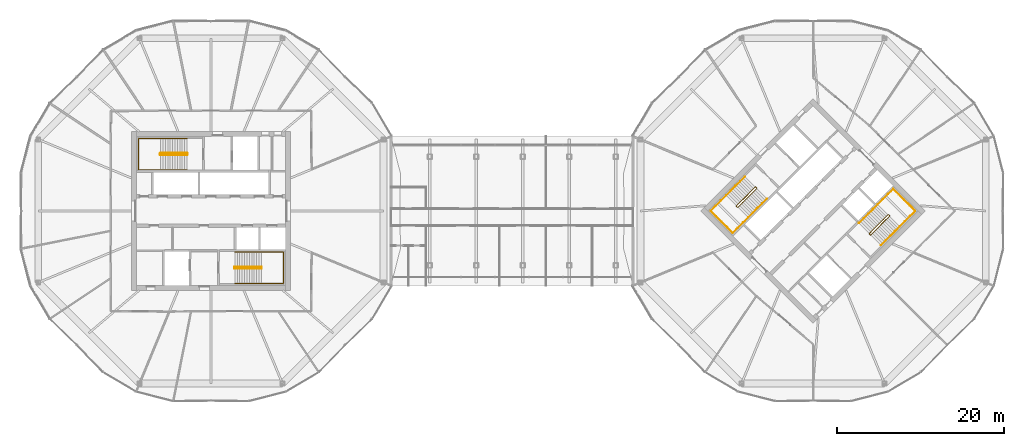
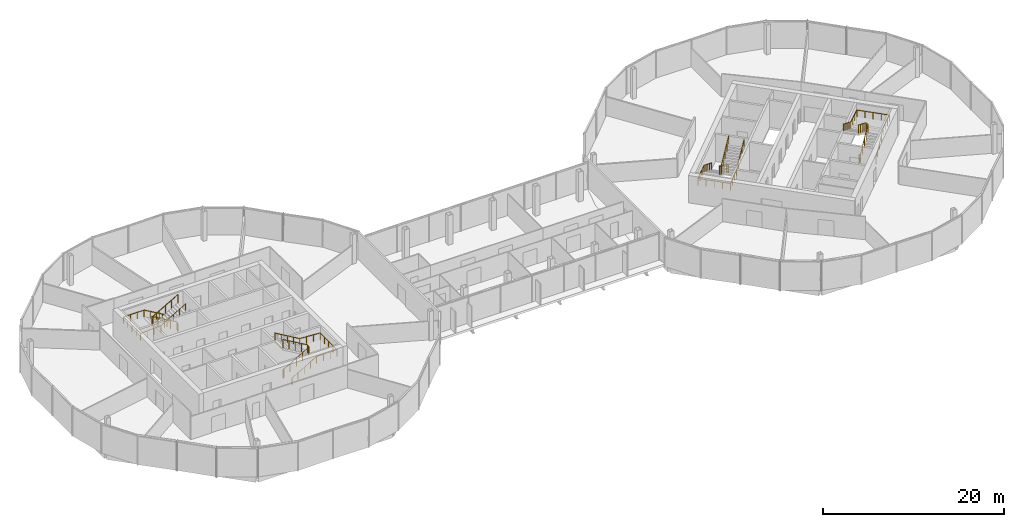
# One storey, part 25 of 25: 8 railings.
"""IFC4 building model written with IfcOpenShell, lengths in metres."""

from ifc_helpers import new_model, si_unit, direction, frame, origin, origin_2d, place, context, subcontext, project, spatial, circle, extrude, material, type_object, element, save


model = new_model("IFC4")

# Units and contexts
model_context = context("Model", 3, precision=1e-05, world=origin(), true_north=direction((0.0, 1.0)))
body_context = subcontext(model_context, "Body", "Model", "MODEL_VIEW")
ifc_project = project(units=[si_unit("LENGTHUNIT", "METRE"), si_unit("AREAUNIT", "SQUARE_METRE"), si_unit("VOLUMEUNIT", "CUBIC_METRE"), si_unit("PLANEANGLEUNIT", "RADIAN"), si_unit("MASSUNIT", "GRAM", prefix="KILO")], contexts=[model_context])

# Site, building, storey
site_placement = place(None, origin())
site = spatial("IfcSite", under=ifc_project, at=site_placement, CompositionType="ELEMENT")
building_placement = place(site_placement, origin())
building = spatial("IfcBuilding", under=site, at=building_placement, Name="Ogive Gate Towers", CompositionType="ELEMENT")
storey_placement = place(building_placement, frame((0.0, 0.0, 144.800048828125)))
storey = spatial("IfcBuildingStorey", under=building, at=storey_placement, Name="L34", CompositionType="ELEMENT", Elevation=144.800048828125)

# Railings
ifc_material = material(Name="Stainless steel", Category="steel")
railing_type_1 = type_object("IfcRailingType", Name="Stair guard 1100", PredefinedType="GUARDRAIL", material=ifc_material)
railing_1_placement = place(storey_placement, frame((-38.81494140625, 6.860107421875, 0.0)))
element("IfcRailing", 1, at=railing_1_placement, inside=storey, type_object=railing_type_1, Name="L34 ST1 stair guard 1", PredefinedType="GUARDRAIL", context=body_context, shape_type="SweptSolid", body=[
    extrude(circle(Radius=0.02392578125, at=origin_2d()), frame((0.0, 0.0, 1.076171875), z_axis=(0.0, -1.0, 0.0), x_axis=(1.0, 0.0, 0.0)), (0.0, 0.0, 1.0), 0.14501953125),
    extrude(circle(Radius=0.02392578125, at=origin_2d()), frame((0.0, -0.14501953125, 1.076171875), z_axis=(-0.19166807023, 0.746103024601, 0.637646945837), x_axis=(-0.968551454522, -0.24881334358, 0.0)), (0.0, 0.0, 1.0), 0.26123046875),
    extrude(circle(Radius=0.02392578125, at=origin_2d()), frame((-0.050048828125, 0.0498046875, 1.24267578125), z_axis=(-0.86512740231, 0.0, 0.501552168546), x_axis=(0.0, -1.0, 0.0)), (0.0, 0.0, 1.0), 3.65576171875),
    extrude(circle(Radius=0.02392578125, at=origin_2d()), frame((-3.212646484375, 0.0498046875, 3.076171875), z_axis=(-0.707106781187, -0.707106781187, 0.0), x_axis=(0.707106781187, -0.707106781187, 0.0)), (0.0, 0.0, 1.0), 0.0703125),
    extrude(circle(Radius=0.02392578125, at=origin_2d()), frame((-3.262451171875, 0.0, 3.076171875), z_axis=(0.0, -1.0, 0.0), x_axis=(1.0, 0.0, 0.0)), (0.0, 0.0, 1.0), 0.14501953125),
    extrude(circle(Radius=0.02392578125, at=origin_2d()), frame((-3.262451171875, -0.14501953125, 3.076171875), z_axis=(0.275382897532, -0.276732813696, 0.920642824102), x_axis=(0.708833529934, 0.705375805398, 0.0)), (0.0, 0.0, 1.0), 0.180908203125),
    extrude(circle(Radius=0.02392578125, at=origin_2d()), frame((-3.212646484375, -0.195068359375, 3.24267578125), z_axis=(0.86512740231, 0.0, 0.501552168546), x_axis=(0.0, 1.0, 0.0)), (0.0, 0.0, 1.0), 3.65576171875),
    extrude(circle(Radius=0.02099609375, at=origin_2d()), origin(), (0.0, 0.0, 1.0), 1.052001953125),
    extrude(circle(Radius=0.02099609375, at=origin_2d()), frame((0.0, -0.14501953125, 0.0)), (0.0, 0.0, 1.0), 1.052001953125),
    extrude(circle(Radius=0.02099609375, at=origin_2d()), frame((-0.050048828125, 0.0498046875, 0.16650390625)), (0.0, 0.0, 1.0), 1.052001953125),
    extrude(circle(Radius=0.02099609375, at=origin_2d()), frame((-0.8408203125, 0.0498046875, 0.625)), (0.0, 0.0, 1.0), 1.052001953125),
    extrude(circle(Radius=0.02099609375, at=origin_2d()), frame((-1.63134765625, 0.0498046875, 1.083251953125)), (0.0, 0.0, 1.0), 1.052001953125),
    extrude(circle(Radius=0.02099609375, at=origin_2d()), frame((-2.421875, 0.0498046875, 1.54150390625)), (0.0, 0.0, 1.0), 1.052001953125),
    extrude(circle(Radius=0.02099609375, at=origin_2d()), frame((-3.212646484375, 0.0498046875, 2.0)), (0.0, 0.0, 1.0), 1.052001953125),
    extrude(circle(Radius=0.02099609375, at=origin_2d()), frame((-3.262451171875, 0.0, 2.0)), (0.0, 0.0, 1.0), 1.052001953125),
    extrude(circle(Radius=0.02099609375, at=origin_2d()), frame((-3.262451171875, -0.14501953125, 2.0)), (0.0, 0.0, 1.0), 1.052001953125),
    extrude(circle(Radius=0.02099609375, at=origin_2d()), frame((-3.212646484375, -0.195068359375, 2.16650390625)), (0.0, 0.0, 1.0), 1.052001953125),
    extrude(circle(Radius=0.02099609375, at=origin_2d()), frame((-2.421875, -0.195068359375, 2.625)), (0.0, 0.0, 1.0), 1.052001953125),
    extrude(circle(Radius=0.02099609375, at=origin_2d()), frame((-1.63134765625, -0.195068359375, 3.083251953125)), (0.0, 0.0, 1.0), 1.052001953125),
    extrude(circle(Radius=0.02099609375, at=origin_2d()), frame((-0.8408203125, -0.195068359375, 3.54150390625)), (0.0, 0.0, 1.0), 1.052001953125),
    extrude(circle(Radius=0.02099609375, at=origin_2d()), frame((-0.050048828125, -0.195068359375, 4.0)), (0.0, 0.0, 1.0), 1.052001953125),
])
railing_2_placement = place(storey_placement, frame((-33.18505859375, -6.860107421875, 0.0)))
element("IfcRailing", 2, at=railing_2_placement, inside=storey, type_object=railing_type_1, Name="L34 ST2 stair guard 1", PredefinedType="GUARDRAIL", context=body_context, shape_type="SweptSolid", body=[
    extrude(circle(Radius=0.02392578125, at=origin_2d()), frame((0.0, 0.0, 1.076171875), z_axis=(0.0, 1.0, 0.0), x_axis=(-1.0, 0.0, 0.0)), (0.0, 0.0, 1.0), 0.14501953125),
    extrude(circle(Radius=0.02392578125, at=origin_2d()), frame((0.0, 0.14501953125, 1.076171875), z_axis=(0.19166807023, -0.746103024601, 0.637646945837), x_axis=(0.968551454522, 0.24881334358, 0.0)), (0.0, 0.0, 1.0), 0.26123046875),
    extrude(circle(Radius=0.02392578125, at=origin_2d()), frame((0.050048828125, -0.0498046875, 1.24267578125), z_axis=(0.86512740231, 0.0, 0.501552168546), x_axis=(0.0, 1.0, 0.0)), (0.0, 0.0, 1.0), 3.65576171875),
    extrude(circle(Radius=0.02392578125, at=origin_2d()), frame((3.212646484375, -0.0498046875, 3.076171875), z_axis=(0.707106781187, 0.707106781187, 0.0), x_axis=(-0.707106781187, 0.707106781187, 0.0)), (0.0, 0.0, 1.0), 0.0703125),
    extrude(circle(Radius=0.02392578125, at=origin_2d()), frame((3.262451171875, 0.0, 3.076171875), z_axis=(0.0, 1.0, 0.0), x_axis=(-1.0, 0.0, 0.0)), (0.0, 0.0, 1.0), 0.14501953125),
    extrude(circle(Radius=0.02392578125, at=origin_2d()), frame((3.262451171875, 0.14501953125, 3.076171875), z_axis=(-0.275382897532, 0.276732813696, 0.920642824102), x_axis=(-0.708833529934, -0.705375805398, 0.0)), (0.0, 0.0, 1.0), 0.180908203125),
    extrude(circle(Radius=0.02392578125, at=origin_2d()), frame((3.212646484375, 0.195068359375, 3.24267578125), z_axis=(-0.86512740231, 0.0, 0.501552168546), x_axis=(0.0, -1.0, 0.0)), (0.0, 0.0, 1.0), 3.65576171875),
    extrude(circle(Radius=0.02099609375, at=origin_2d()), origin(), (0.0, 0.0, 1.0), 1.052001953125),
    extrude(circle(Radius=0.02099609375, at=origin_2d()), frame((0.0, 0.14501953125, 0.0)), (0.0, 0.0, 1.0), 1.052001953125),
    extrude(circle(Radius=0.02099609375, at=origin_2d()), frame((0.050048828125, -0.0498046875, 0.16650390625)), (0.0, 0.0, 1.0), 1.052001953125),
    extrude(circle(Radius=0.02099609375, at=origin_2d()), frame((0.8408203125, -0.0498046875, 0.625)), (0.0, 0.0, 1.0), 1.052001953125),
    extrude(circle(Radius=0.02099609375, at=origin_2d()), frame((1.63134765625, -0.0498046875, 1.083251953125)), (0.0, 0.0, 1.0), 1.052001953125),
    extrude(circle(Radius=0.02099609375, at=origin_2d()), frame((2.421875, -0.0498046875, 1.54150390625)), (0.0, 0.0, 1.0), 1.052001953125),
    extrude(circle(Radius=0.02099609375, at=origin_2d()), frame((3.212646484375, -0.0498046875, 2.0)), (0.0, 0.0, 1.0), 1.052001953125),
    extrude(circle(Radius=0.02099609375, at=origin_2d()), frame((3.262451171875, 0.0, 2.0)), (0.0, 0.0, 1.0), 1.052001953125),
    extrude(circle(Radius=0.02099609375, at=origin_2d()), frame((3.262451171875, 0.14501953125, 2.0)), (0.0, 0.0, 1.0), 1.052001953125),
    extrude(circle(Radius=0.02099609375, at=origin_2d()), frame((3.212646484375, 0.195068359375, 2.16650390625)), (0.0, 0.0, 1.0), 1.052001953125),
    extrude(circle(Radius=0.02099609375, at=origin_2d()), frame((2.421875, 0.195068359375, 2.625)), (0.0, 0.0, 1.0), 1.052001953125),
    extrude(circle(Radius=0.02099609375, at=origin_2d()), frame((1.63134765625, 0.195068359375, 3.083251953125)), (0.0, 0.0, 1.0), 1.052001953125),
    extrude(circle(Radius=0.02099609375, at=origin_2d()), frame((0.8408203125, 0.195068359375, 3.54150390625)), (0.0, 0.0, 1.0), 1.052001953125),
    extrude(circle(Radius=0.02099609375, at=origin_2d()), frame((0.050048828125, 0.195068359375, 4.0)), (0.0, 0.0, 1.0), 1.052001953125),
])
railing_3_placement = place(storey_placement, frame((29.15869140625, 2.8603515625, 0.0)))
element("IfcRailing", 3, at=railing_3_placement, inside=storey, type_object=railing_type_1, Name="L34 ST1 stair guard 1", PredefinedType="GUARDRAIL", context=body_context, shape_type="SweptSolid", body=[
    extrude(circle(Radius=0.02392578125, at=origin_2d()), frame((0.0, 0.0, 1.076171875), z_axis=(0.707106781187, -0.707106781187, 0.0), x_axis=(0.707106781187, 0.707106781187, 0.0)), (0.0, 0.0, 1.0), 0.14501953125),
    extrude(circle(Radius=0.02392578125, at=origin_2d()), frame((0.1025390625, -0.1025390625, 1.076171875), z_axis=(-0.662818031471, 0.39264255743, 0.637576724208), x_axis=(-0.509669330572, -0.860370369942, 0.0)), (0.0, 0.0, 1.0), 0.26123046875),
    extrude(circle(Radius=0.02392578125, at=origin_2d()), frame((-0.070556640625, 0.0, 1.24267578125), z_axis=(-0.611739783828, -0.611739783828, 0.501546482156), x_axis=(0.707106781187, -0.707106781187, 0.0)), (0.0, 0.0, 1.0), 3.65576171875),
    extrude(circle(Radius=0.02392578125, at=origin_2d()), frame((-2.306884765625, -2.236328125, 3.076171875), z_axis=(0.0, -1.0, 0.0), x_axis=(1.0, 0.0, 0.0)), (0.0, 0.0, 1.0), 0.07080078125),
    extrude(circle(Radius=0.02392578125, at=origin_2d()), frame((-2.306884765625, -2.30712890625, 3.076171875), z_axis=(0.707106781187, -0.707106781187, 0.0), x_axis=(0.707106781187, 0.707106781187, 0.0)), (0.0, 0.0, 1.0), 0.14501953125),
    extrude(circle(Radius=0.02392578125, at=origin_2d()), frame((-2.204345703125, -2.40966796875, 3.076171875), z_axis=(0.391312070548, 0.0, 0.920258041771), x_axis=(0.0, 1.0, 0.0)), (0.0, 0.0, 1.0), 0.180908203125),
    extrude(circle(Radius=0.02392578125, at=origin_2d()), frame((-2.133544921875, -2.40966796875, 3.24267578125), z_axis=(0.61169798966, 0.611764776208, 0.501566972633), x_axis=(-0.707145379772, 0.707068180494, 0.0)), (0.0, 0.0, 1.0), 3.655517578125),
    extrude(circle(Radius=0.02099609375, at=origin_2d()), origin(), (0.0, 0.0, 1.0), 1.052001953125),
    extrude(circle(Radius=0.02099609375, at=origin_2d()), frame((0.1025390625, -0.1025390625, 0.0)), (0.0, 0.0, 1.0), 1.052001953125),
    extrude(circle(Radius=0.02099609375, at=origin_2d()), frame((-0.070556640625, 0.0, 0.16650390625)), (0.0, 0.0, 1.0), 1.052001953125),
    extrude(circle(Radius=0.02099609375, at=origin_2d()), frame((-0.629638671875, -0.55908203125, 0.625)), (0.0, 0.0, 1.0), 1.052001953125),
    extrude(circle(Radius=0.02099609375, at=origin_2d()), frame((-1.188720703125, -1.1181640625, 1.083251953125)), (0.0, 0.0, 1.0), 1.052001953125),
    extrude(circle(Radius=0.02099609375, at=origin_2d()), frame((-1.747802734375, -1.67724609375, 1.54150390625)), (0.0, 0.0, 1.0), 1.052001953125),
    extrude(circle(Radius=0.02099609375, at=origin_2d()), frame((-2.306884765625, -2.236328125, 2.0)), (0.0, 0.0, 1.0), 1.052001953125),
    extrude(circle(Radius=0.02099609375, at=origin_2d()), frame((-2.306884765625, -2.30712890625, 2.0)), (0.0, 0.0, 1.0), 1.052001953125),
    extrude(circle(Radius=0.02099609375, at=origin_2d()), frame((-2.204345703125, -2.40966796875, 2.0)), (0.0, 0.0, 1.0), 1.052001953125),
    extrude(circle(Radius=0.02099609375, at=origin_2d()), frame((-2.133544921875, -2.40966796875, 2.16650390625)), (0.0, 0.0, 1.0), 1.052001953125),
    extrude(circle(Radius=0.02099609375, at=origin_2d()), frame((-1.574462890625, -1.8505859375, 2.625)), (0.0, 0.0, 1.0), 1.052001953125),
    extrude(circle(Radius=0.02099609375, at=origin_2d()), frame((-1.015625, -1.29150390625, 3.083251953125)), (0.0, 0.0, 1.0), 1.052001953125),
    extrude(circle(Radius=0.02099609375, at=origin_2d()), frame((-0.45654296875, -0.732421875, 3.54150390625)), (0.0, 0.0, 1.0), 1.052001953125),
    extrude(circle(Radius=0.02099609375, at=origin_2d()), frame((0.1025390625, -0.17333984375, 4.0)), (0.0, 0.0, 1.0), 1.052001953125),
])
railing_4_placement = place(storey_placement, frame((42.84130859375, -2.8603515625, 0.0)))
element("IfcRailing", 4, at=railing_4_placement, inside=storey, type_object=railing_type_1, Name="L34 ST2 stair guard 1", PredefinedType="GUARDRAIL", context=body_context, shape_type="SweptSolid", body=[
    extrude(circle(Radius=0.02392578125, at=origin_2d()), frame((0.0, 0.0, 1.076171875), z_axis=(-0.707106781187, 0.707106781187, 0.0), x_axis=(-0.707106781187, -0.707106781187, 0.0)), (0.0, 0.0, 1.0), 0.14501953125),
    extrude(circle(Radius=0.02392578125, at=origin_2d()), frame((-0.1025390625, 0.1025390625, 1.076171875), z_axis=(0.662818031471, -0.39264255743, 0.637576724208), x_axis=(0.509669330572, 0.860370369942, 0.0)), (0.0, 0.0, 1.0), 0.26123046875),
    extrude(circle(Radius=0.02392578125, at=origin_2d()), frame((0.070556640625, 0.0, 1.24267578125), z_axis=(0.611739783828, 0.611739783828, 0.501546482156), x_axis=(-0.707106781187, 0.707106781187, 0.0)), (0.0, 0.0, 1.0), 3.65576171875),
    extrude(circle(Radius=0.02392578125, at=origin_2d()), frame((2.306884765625, 2.236328125, 3.076171875), z_axis=(0.0, 1.0, 0.0), x_axis=(-1.0, 0.0, 0.0)), (0.0, 0.0, 1.0), 0.07080078125),
    extrude(circle(Radius=0.02392578125, at=origin_2d()), frame((2.306884765625, 2.30712890625, 3.076171875), z_axis=(-0.707106781187, 0.707106781187, 0.0), x_axis=(-0.707106781187, -0.707106781187, 0.0)), (0.0, 0.0, 1.0), 0.14501953125),
    extrude(circle(Radius=0.02392578125, at=origin_2d()), frame((2.204345703125, 2.40966796875, 3.076171875), z_axis=(-0.391312070548, 0.0, 0.920258041771), x_axis=(0.0, -1.0, 0.0)), (0.0, 0.0, 1.0), 0.180908203125),
    extrude(circle(Radius=0.02392578125, at=origin_2d()), frame((2.133544921875, 2.40966796875, 3.24267578125), z_axis=(-0.61169798966, -0.611764776208, 0.501566972633), x_axis=(0.707145379772, -0.707068180494, 0.0)), (0.0, 0.0, 1.0), 3.655517578125),
    extrude(circle(Radius=0.02099609375, at=origin_2d()), origin(), (0.0, 0.0, 1.0), 1.052001953125),
    extrude(circle(Radius=0.02099609375, at=origin_2d()), frame((-0.1025390625, 0.1025390625, 0.0)), (0.0, 0.0, 1.0), 1.052001953125),
    extrude(circle(Radius=0.02099609375, at=origin_2d()), frame((0.070556640625, 0.0, 0.16650390625)), (0.0, 0.0, 1.0), 1.052001953125),
    extrude(circle(Radius=0.02099609375, at=origin_2d()), frame((0.629638671875, 0.55908203125, 0.625)), (0.0, 0.0, 1.0), 1.052001953125),
    extrude(circle(Radius=0.02099609375, at=origin_2d()), frame((1.188720703125, 1.1181640625, 1.083251953125)), (0.0, 0.0, 1.0), 1.052001953125),
    extrude(circle(Radius=0.02099609375, at=origin_2d()), frame((1.747802734375, 1.67724609375, 1.54150390625)), (0.0, 0.0, 1.0), 1.052001953125),
    extrude(circle(Radius=0.02099609375, at=origin_2d()), frame((2.306884765625, 2.236328125, 2.0)), (0.0, 0.0, 1.0), 1.052001953125),
    extrude(circle(Radius=0.02099609375, at=origin_2d()), frame((2.306884765625, 2.30712890625, 2.0)), (0.0, 0.0, 1.0), 1.052001953125),
    extrude(circle(Radius=0.02099609375, at=origin_2d()), frame((2.204345703125, 2.40966796875, 2.0)), (0.0, 0.0, 1.0), 1.052001953125),
    extrude(circle(Radius=0.02099609375, at=origin_2d()), frame((2.133544921875, 2.40966796875, 2.16650390625)), (0.0, 0.0, 1.0), 1.052001953125),
    extrude(circle(Radius=0.02099609375, at=origin_2d()), frame((1.574462890625, 1.8505859375, 2.625)), (0.0, 0.0, 1.0), 1.052001953125),
    extrude(circle(Radius=0.02099609375, at=origin_2d()), frame((1.015625, 1.29150390625, 3.083251953125)), (0.0, 0.0, 1.0), 1.052001953125),
    extrude(circle(Radius=0.02099609375, at=origin_2d()), frame((0.45654296875, 0.732421875, 3.54150390625)), (0.0, 0.0, 1.0), 1.052001953125),
    extrude(circle(Radius=0.02099609375, at=origin_2d()), frame((-0.1025390625, 0.17333984375, 4.0)), (0.0, 0.0, 1.0), 1.052001953125),
])
railing_type_2 = type_object("IfcRailingType", Name="Stair handrail 900", PredefinedType="HANDRAIL", material=ifc_material)
railing_5_placement = place(storey_placement, frame((-38.864990234375, 8.64990234375, 0.16650390625)))
element("IfcRailing", 5, at=railing_5_placement, inside=storey, type_object=railing_type_2, Name="L34 ST1 stair handrail 1", PredefinedType="HANDRAIL", context=body_context, shape_type="SweptSolid", body=[
    extrude(circle(Radius=0.02392578125, at=origin_2d()), frame((0.0, 0.0, 0.8759765625), z_axis=(-0.86512740231, 0.0, 0.501552168546), x_axis=(0.0, -1.0, 0.0)), (0.0, 0.0, 1.0), 3.65576171875),
    extrude(circle(Radius=0.02392578125, at=origin_2d()), frame((-3.16259765625, 0.0, 2.70947265625), z_axis=(-1.0, 0.0, 0.0), x_axis=(0.0, -1.0, 0.0)), (0.0, 0.0, 1.0), 2.622314453125),
    extrude(circle(Radius=0.02392578125, at=origin_2d()), frame((-5.784912109375, 0.0, 2.70947265625), z_axis=(0.0, -1.0, 0.0), x_axis=(1.0, 0.0, 0.0)), (0.0, 0.0, 1.0), 3.724853515625),
    extrude(circle(Radius=0.02392578125, at=origin_2d()), frame((-5.784912109375, -3.724853515625, 2.70947265625), z_axis=(0.997990266097, 0.0, 0.063367410993), x_axis=(0.0, 1.0, 0.0)), (0.0, 0.0, 1.0), 2.627685546875),
    extrude(circle(Radius=0.02392578125, at=origin_2d()), frame((-3.16259765625, -3.724853515625, 2.8759765625), z_axis=(0.86512740231, 0.0, 0.501552168546), x_axis=(0.0, 1.0, 0.0)), (0.0, 0.0, 1.0), 3.65576171875),
    extrude(circle(Radius=0.02099609375, at=origin_2d()), origin(), (0.0, 0.0, 1.0), 0.851806640625),
    extrude(circle(Radius=0.02099609375, at=origin_2d()), frame((-0.79052734375, 0.0, 0.45849609375)), (0.0, 0.0, 1.0), 0.851806640625),
    extrude(circle(Radius=0.02099609375, at=origin_2d()), frame((-1.581298828125, 0.0, 0.916748046875)), (0.0, 0.0, 1.0), 0.851806640625),
    extrude(circle(Radius=0.02099609375, at=origin_2d()), frame((-2.3720703125, 0.0, 1.375)), (0.0, 0.0, 1.0), 0.851806640625),
    extrude(circle(Radius=0.02099609375, at=origin_2d()), frame((-3.16259765625, 0.0, 1.83349609375)), (0.0, 0.0, 1.0), 0.851806640625),
    extrude(circle(Radius=0.02099609375, at=origin_2d()), frame((-4.03662109375, 0.0, 1.83349609375)), (0.0, 0.0, 1.0), 0.851806640625),
    extrude(circle(Radius=0.02099609375, at=origin_2d()), frame((-4.910888671875, 0.0, 1.83349609375)), (0.0, 0.0, 1.0), 0.851806640625),
    extrude(circle(Radius=0.02099609375, at=origin_2d()), frame((-5.784912109375, 0.0, 1.83349609375)), (0.0, 0.0, 1.0), 0.851806640625),
    extrude(circle(Radius=0.02099609375, at=origin_2d()), frame((-5.784912109375, -0.93115234375, 1.83349609375)), (0.0, 0.0, 1.0), 0.851806640625),
    extrude(circle(Radius=0.02099609375, at=origin_2d()), frame((-5.784912109375, -1.8623046875, 1.83349609375)), (0.0, 0.0, 1.0), 0.851806640625),
    extrude(circle(Radius=0.02099609375, at=origin_2d()), frame((-5.784912109375, -2.793701171875, 1.83349609375)), (0.0, 0.0, 1.0), 0.851806640625),
    extrude(circle(Radius=0.02099609375, at=origin_2d()), frame((-5.784912109375, -3.724853515625, 1.83349609375)), (0.0, 0.0, 1.0), 0.851806640625),
    extrude(circle(Radius=0.02099609375, at=origin_2d()), frame((-4.910888671875, -3.724853515625, 1.888916015625)), (0.0, 0.0, 1.0), 0.851806640625),
    extrude(circle(Radius=0.02099609375, at=origin_2d()), frame((-4.03662109375, -3.724853515625, 1.944580078125)), (0.0, 0.0, 1.0), 0.851806640625),
    extrude(circle(Radius=0.02099609375, at=origin_2d()), frame((-3.16259765625, -3.724853515625, 2.0)), (0.0, 0.0, 1.0), 0.851806640625),
    extrude(circle(Radius=0.02099609375, at=origin_2d()), frame((-2.3720703125, -3.724853515625, 2.45849609375)), (0.0, 0.0, 1.0), 0.851806640625),
    extrude(circle(Radius=0.02099609375, at=origin_2d()), frame((-1.581298828125, -3.724853515625, 2.916748046875)), (0.0, 0.0, 1.0), 0.851806640625),
    extrude(circle(Radius=0.02099609375, at=origin_2d()), frame((-0.79052734375, -3.724853515625, 3.375)), (0.0, 0.0, 1.0), 0.851806640625),
    extrude(circle(Radius=0.02099609375, at=origin_2d()), frame((0.0, -3.724853515625, 3.83349609375)), (0.0, 0.0, 1.0), 0.851806640625),
])
railing_6_placement = place(storey_placement, frame((-33.135009765625, -8.64990234375, 0.16650390625)))
element("IfcRailing", 6, at=railing_6_placement, inside=storey, type_object=railing_type_2, Name="L34 ST2 stair handrail 1", PredefinedType="HANDRAIL", context=body_context, shape_type="SweptSolid", body=[
    extrude(circle(Radius=0.02392578125, at=origin_2d()), frame((0.0, 0.0, 0.8759765625), z_axis=(0.86512740231, 0.0, 0.501552168546), x_axis=(0.0, 1.0, 0.0)), (0.0, 0.0, 1.0), 3.65576171875),
    extrude(circle(Radius=0.02392578125, at=origin_2d()), frame((3.16259765625, 0.0, 2.70947265625), z_axis=(1.0, 0.0, 0.0), x_axis=(0.0, 1.0, 0.0)), (0.0, 0.0, 1.0), 2.622314453125),
    extrude(circle(Radius=0.02392578125, at=origin_2d()), frame((5.784912109375, 0.0, 2.70947265625), z_axis=(0.0, 1.0, 0.0), x_axis=(-1.0, 0.0, 0.0)), (0.0, 0.0, 1.0), 3.724853515625),
    extrude(circle(Radius=0.02392578125, at=origin_2d()), frame((5.784912109375, 3.724853515625, 2.70947265625), z_axis=(-0.997990266097, 0.0, 0.063367410993), x_axis=(0.0, -1.0, 0.0)), (0.0, 0.0, 1.0), 2.627685546875),
    extrude(circle(Radius=0.02392578125, at=origin_2d()), frame((3.16259765625, 3.724853515625, 2.8759765625), z_axis=(-0.86512740231, 0.0, 0.501552168546), x_axis=(0.0, -1.0, 0.0)), (0.0, 0.0, 1.0), 3.65576171875),
    extrude(circle(Radius=0.02099609375, at=origin_2d()), origin(), (0.0, 0.0, 1.0), 0.851806640625),
    extrude(circle(Radius=0.02099609375, at=origin_2d()), frame((0.79052734375, 0.0, 0.45849609375)), (0.0, 0.0, 1.0), 0.851806640625),
    extrude(circle(Radius=0.02099609375, at=origin_2d()), frame((1.581298828125, 0.0, 0.916748046875)), (0.0, 0.0, 1.0), 0.851806640625),
    extrude(circle(Radius=0.02099609375, at=origin_2d()), frame((2.3720703125, 0.0, 1.375)), (0.0, 0.0, 1.0), 0.851806640625),
    extrude(circle(Radius=0.02099609375, at=origin_2d()), frame((3.16259765625, 0.0, 1.83349609375)), (0.0, 0.0, 1.0), 0.851806640625),
    extrude(circle(Radius=0.02099609375, at=origin_2d()), frame((4.03662109375, 0.0, 1.83349609375)), (0.0, 0.0, 1.0), 0.851806640625),
    extrude(circle(Radius=0.02099609375, at=origin_2d()), frame((4.910888671875, 0.0, 1.83349609375)), (0.0, 0.0, 1.0), 0.851806640625),
    extrude(circle(Radius=0.02099609375, at=origin_2d()), frame((5.784912109375, 0.0, 1.83349609375)), (0.0, 0.0, 1.0), 0.851806640625),
    extrude(circle(Radius=0.02099609375, at=origin_2d()), frame((5.784912109375, 0.93115234375, 1.83349609375)), (0.0, 0.0, 1.0), 0.851806640625),
    extrude(circle(Radius=0.02099609375, at=origin_2d()), frame((5.784912109375, 1.8623046875, 1.83349609375)), (0.0, 0.0, 1.0), 0.851806640625),
    extrude(circle(Radius=0.02099609375, at=origin_2d()), frame((5.784912109375, 2.793701171875, 1.83349609375)), (0.0, 0.0, 1.0), 0.851806640625),
    extrude(circle(Radius=0.02099609375, at=origin_2d()), frame((5.784912109375, 3.724853515625, 1.83349609375)), (0.0, 0.0, 1.0), 0.851806640625),
    extrude(circle(Radius=0.02099609375, at=origin_2d()), frame((4.910888671875, 3.724853515625, 1.888916015625)), (0.0, 0.0, 1.0), 0.851806640625),
    extrude(circle(Radius=0.02099609375, at=origin_2d()), frame((4.03662109375, 3.724853515625, 1.944580078125)), (0.0, 0.0, 1.0), 0.851806640625),
    extrude(circle(Radius=0.02099609375, at=origin_2d()), frame((3.16259765625, 3.724853515625, 2.0)), (0.0, 0.0, 1.0), 0.851806640625),
    extrude(circle(Radius=0.02099609375, at=origin_2d()), frame((2.3720703125, 3.724853515625, 2.45849609375)), (0.0, 0.0, 1.0), 0.851806640625),
    extrude(circle(Radius=0.02099609375, at=origin_2d()), frame((1.581298828125, 3.724853515625, 2.916748046875)), (0.0, 0.0, 1.0), 0.851806640625),
    extrude(circle(Radius=0.02099609375, at=origin_2d()), frame((0.79052734375, 3.724853515625, 3.375)), (0.0, 0.0, 1.0), 0.851806640625),
    extrude(circle(Radius=0.02099609375, at=origin_2d()), frame((0.0, 3.724853515625, 3.83349609375)), (0.0, 0.0, 1.0), 0.851806640625),
])
railing_7_placement = place(storey_placement, frame((27.857666015625, 4.090576171875, 0.16650390625)))
element("IfcRailing", 7, at=railing_7_placement, inside=storey, type_object=railing_type_2, Name="L34 ST1 stair handrail 1", PredefinedType="HANDRAIL", context=body_context, shape_type="SweptSolid", body=[
    extrude(circle(Radius=0.02392578125, at=origin_2d()), frame((0.0, 0.0, 0.8759765625), z_axis=(-0.611764776208, -0.61169798966, 0.501566972633), x_axis=(0.707068180494, -0.707145379772, 0.0)), (0.0, 0.0, 1.0), 3.655517578125),
    extrude(circle(Radius=0.02392578125, at=origin_2d()), frame((-2.236328125, -2.236083984375, 2.70947265625), z_axis=(-0.70706023191, -0.707153327399, 0.0), x_axis=(0.707153327399, -0.70706023191, 0.0)), (0.0, 0.0, 1.0), 2.62255859375),
    extrude(circle(Radius=0.02392578125, at=origin_2d()), frame((-4.090576171875, -4.090576171875, 2.70947265625), z_axis=(0.707106781187, -0.707106781187, 0.0), x_axis=(0.707106781187, 0.707106781187, 0.0)), (0.0, 0.0, 1.0), 3.72509765625),
    extrude(circle(Radius=0.02392578125, at=origin_2d()), frame((-1.45654296875, -6.724609375, 2.70947265625), z_axis=(0.705639402853, 0.705732311267, 0.063363538215), x_axis=(-0.707153327399, 0.70706023191, 0.0)), (0.0, 0.0, 1.0), 2.627685546875),
    extrude(circle(Radius=0.02392578125, at=origin_2d()), frame((0.397705078125, -4.8701171875, 2.8759765625), z_axis=(0.611764776208, 0.61169798966, 0.501566972633), x_axis=(-0.707068180494, 0.707145379772, 0.0)), (0.0, 0.0, 1.0), 3.655517578125),
    extrude(circle(Radius=0.02099609375, at=origin_2d()), origin(), (0.0, 0.0, 1.0), 0.851806640625),
    extrude(circle(Radius=0.02099609375, at=origin_2d()), frame((-0.55908203125, -0.55908203125, 0.45849609375)), (0.0, 0.0, 1.0), 0.851806640625),
    extrude(circle(Radius=0.02099609375, at=origin_2d()), frame((-1.1181640625, -1.1181640625, 0.916748046875)), (0.0, 0.0, 1.0), 0.851806640625),
    extrude(circle(Radius=0.02099609375, at=origin_2d()), frame((-1.67724609375, -1.677001953125, 1.375)), (0.0, 0.0, 1.0), 0.851806640625),
    extrude(circle(Radius=0.02099609375, at=origin_2d()), frame((-2.236328125, -2.236083984375, 1.83349609375)), (0.0, 0.0, 1.0), 0.851806640625),
    extrude(circle(Radius=0.02099609375, at=origin_2d()), frame((-2.8544921875, -2.854248046875, 1.83349609375)), (0.0, 0.0, 1.0), 0.851806640625),
    extrude(circle(Radius=0.02099609375, at=origin_2d()), frame((-3.472412109375, -3.472412109375, 1.83349609375)), (0.0, 0.0, 1.0), 0.851806640625),
    extrude(circle(Radius=0.02099609375, at=origin_2d()), frame((-4.090576171875, -4.090576171875, 1.83349609375)), (0.0, 0.0, 1.0), 0.851806640625),
    extrude(circle(Radius=0.02099609375, at=origin_2d()), frame((-3.43212890625, -4.7490234375, 1.83349609375)), (0.0, 0.0, 1.0), 0.851806640625),
    extrude(circle(Radius=0.02099609375, at=origin_2d()), frame((-2.7734375, -5.40771484375, 1.83349609375)), (0.0, 0.0, 1.0), 0.851806640625),
    extrude(circle(Radius=0.02099609375, at=origin_2d()), frame((-2.114990234375, -6.066162109375, 1.83349609375)), (0.0, 0.0, 1.0), 0.851806640625),
    extrude(circle(Radius=0.02099609375, at=origin_2d()), frame((-1.45654296875, -6.724609375, 1.83349609375)), (0.0, 0.0, 1.0), 0.851806640625),
    extrude(circle(Radius=0.02099609375, at=origin_2d()), frame((-0.83837890625, -6.1064453125, 1.888916015625)), (0.0, 0.0, 1.0), 0.851806640625),
    extrude(circle(Radius=0.02099609375, at=origin_2d()), frame((-0.220458984375, -5.48828125, 1.944580078125)), (0.0, 0.0, 1.0), 0.851806640625),
    extrude(circle(Radius=0.02099609375, at=origin_2d()), frame((0.397705078125, -4.8701171875, 2.0)), (0.0, 0.0, 1.0), 0.851806640625),
    extrude(circle(Radius=0.02099609375, at=origin_2d()), frame((0.956787109375, -4.31103515625, 2.45849609375)), (0.0, 0.0, 1.0), 0.851806640625),
    extrude(circle(Radius=0.02099609375, at=origin_2d()), frame((1.515869140625, -3.751953125, 2.916748046875)), (0.0, 0.0, 1.0), 0.851806640625),
    extrude(circle(Radius=0.02099609375, at=origin_2d()), frame((2.074951171875, -3.193115234375, 3.375)), (0.0, 0.0, 1.0), 0.851806640625),
    extrude(circle(Radius=0.02099609375, at=origin_2d()), frame((2.634033203125, -2.634033203125, 3.83349609375)), (0.0, 0.0, 1.0), 0.851806640625),
])
railing_8_placement = place(storey_placement, frame((44.142333984375, -4.090576171875, 0.16650390625)))
element("IfcRailing", 8, at=railing_8_placement, inside=storey, type_object=railing_type_2, Name="L34 ST2 stair handrail 1", PredefinedType="HANDRAIL", context=body_context, shape_type="SweptSolid", body=[
    extrude(circle(Radius=0.02392578125, at=origin_2d()), frame((0.0, 0.0, 0.8759765625), z_axis=(0.611764776208, 0.61169798966, 0.501566972633), x_axis=(-0.707068180494, 0.707145379772, 0.0)), (0.0, 0.0, 1.0), 3.655517578125),
    extrude(circle(Radius=0.02392578125, at=origin_2d()), frame((2.236328125, 2.236083984375, 2.70947265625), z_axis=(0.70706023191, 0.707153327399, 0.0), x_axis=(-0.707153327399, 0.70706023191, 0.0)), (0.0, 0.0, 1.0), 2.62255859375),
    extrude(circle(Radius=0.02392578125, at=origin_2d()), frame((4.090576171875, 4.090576171875, 2.70947265625), z_axis=(-0.707106781187, 0.707106781187, 0.0), x_axis=(-0.707106781187, -0.707106781187, 0.0)), (0.0, 0.0, 1.0), 3.72509765625),
    extrude(circle(Radius=0.02392578125, at=origin_2d()), frame((1.45654296875, 6.724609375, 2.70947265625), z_axis=(-0.705639402853, -0.705732311267, 0.063363538215), x_axis=(0.707153327399, -0.70706023191, 0.0)), (0.0, 0.0, 1.0), 2.627685546875),
    extrude(circle(Radius=0.02392578125, at=origin_2d()), frame((-0.397705078125, 4.8701171875, 2.8759765625), z_axis=(-0.611764776208, -0.61169798966, 0.501566972633), x_axis=(0.707068180494, -0.707145379772, 0.0)), (0.0, 0.0, 1.0), 3.655517578125),
    extrude(circle(Radius=0.02099609375, at=origin_2d()), origin(), (0.0, 0.0, 1.0), 0.851806640625),
    extrude(circle(Radius=0.02099609375, at=origin_2d()), frame((0.55908203125, 0.55908203125, 0.45849609375)), (0.0, 0.0, 1.0), 0.851806640625),
    extrude(circle(Radius=0.02099609375, at=origin_2d()), frame((1.1181640625, 1.1181640625, 0.916748046875)), (0.0, 0.0, 1.0), 0.851806640625),
    extrude(circle(Radius=0.02099609375, at=origin_2d()), frame((1.67724609375, 1.677001953125, 1.375)), (0.0, 0.0, 1.0), 0.851806640625),
    extrude(circle(Radius=0.02099609375, at=origin_2d()), frame((2.236328125, 2.236083984375, 1.83349609375)), (0.0, 0.0, 1.0), 0.851806640625),
    extrude(circle(Radius=0.02099609375, at=origin_2d()), frame((2.8544921875, 2.854248046875, 1.83349609375)), (0.0, 0.0, 1.0), 0.851806640625),
    extrude(circle(Radius=0.02099609375, at=origin_2d()), frame((3.472412109375, 3.472412109375, 1.83349609375)), (0.0, 0.0, 1.0), 0.851806640625),
    extrude(circle(Radius=0.02099609375, at=origin_2d()), frame((4.090576171875, 4.090576171875, 1.83349609375)), (0.0, 0.0, 1.0), 0.851806640625),
    extrude(circle(Radius=0.02099609375, at=origin_2d()), frame((3.43212890625, 4.7490234375, 1.83349609375)), (0.0, 0.0, 1.0), 0.851806640625),
    extrude(circle(Radius=0.02099609375, at=origin_2d()), frame((2.7734375, 5.40771484375, 1.83349609375)), (0.0, 0.0, 1.0), 0.851806640625),
    extrude(circle(Radius=0.02099609375, at=origin_2d()), frame((2.114990234375, 6.066162109375, 1.83349609375)), (0.0, 0.0, 1.0), 0.851806640625),
    extrude(circle(Radius=0.02099609375, at=origin_2d()), frame((1.45654296875, 6.724609375, 1.83349609375)), (0.0, 0.0, 1.0), 0.851806640625),
    extrude(circle(Radius=0.02099609375, at=origin_2d()), frame((0.83837890625, 6.1064453125, 1.888916015625)), (0.0, 0.0, 1.0), 0.851806640625),
    extrude(circle(Radius=0.02099609375, at=origin_2d()), frame((0.220458984375, 5.48828125, 1.944580078125)), (0.0, 0.0, 1.0), 0.851806640625),
    extrude(circle(Radius=0.02099609375, at=origin_2d()), frame((-0.397705078125, 4.8701171875, 2.0)), (0.0, 0.0, 1.0), 0.851806640625),
    extrude(circle(Radius=0.02099609375, at=origin_2d()), frame((-0.956787109375, 4.31103515625, 2.45849609375)), (0.0, 0.0, 1.0), 0.851806640625),
    extrude(circle(Radius=0.02099609375, at=origin_2d()), frame((-1.515869140625, 3.751953125, 2.916748046875)), (0.0, 0.0, 1.0), 0.851806640625),
    extrude(circle(Radius=0.02099609375, at=origin_2d()), frame((-2.074951171875, 3.193115234375, 3.375)), (0.0, 0.0, 1.0), 0.851806640625),
    extrude(circle(Radius=0.02099609375, at=origin_2d()), frame((-2.634033203125, 2.634033203125, 3.83349609375)), (0.0, 0.0, 1.0), 0.851806640625),
])

save(model, "model.ifc")
